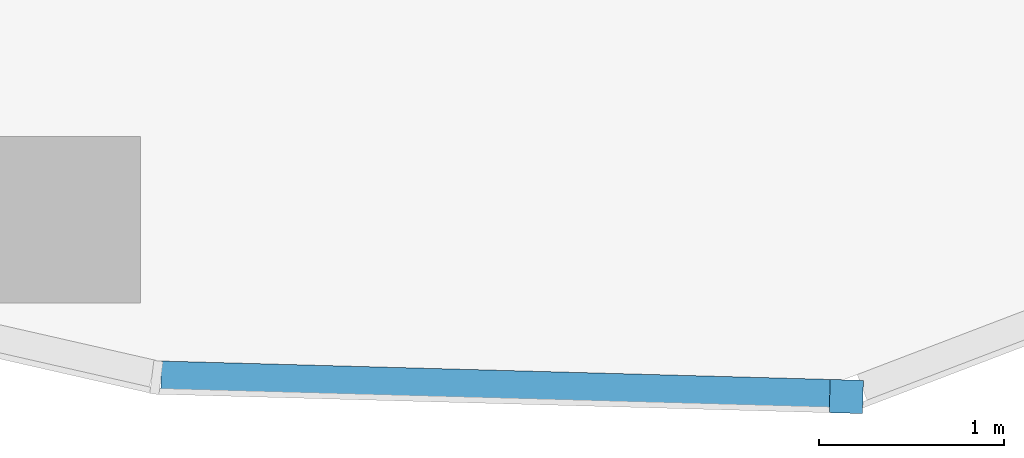
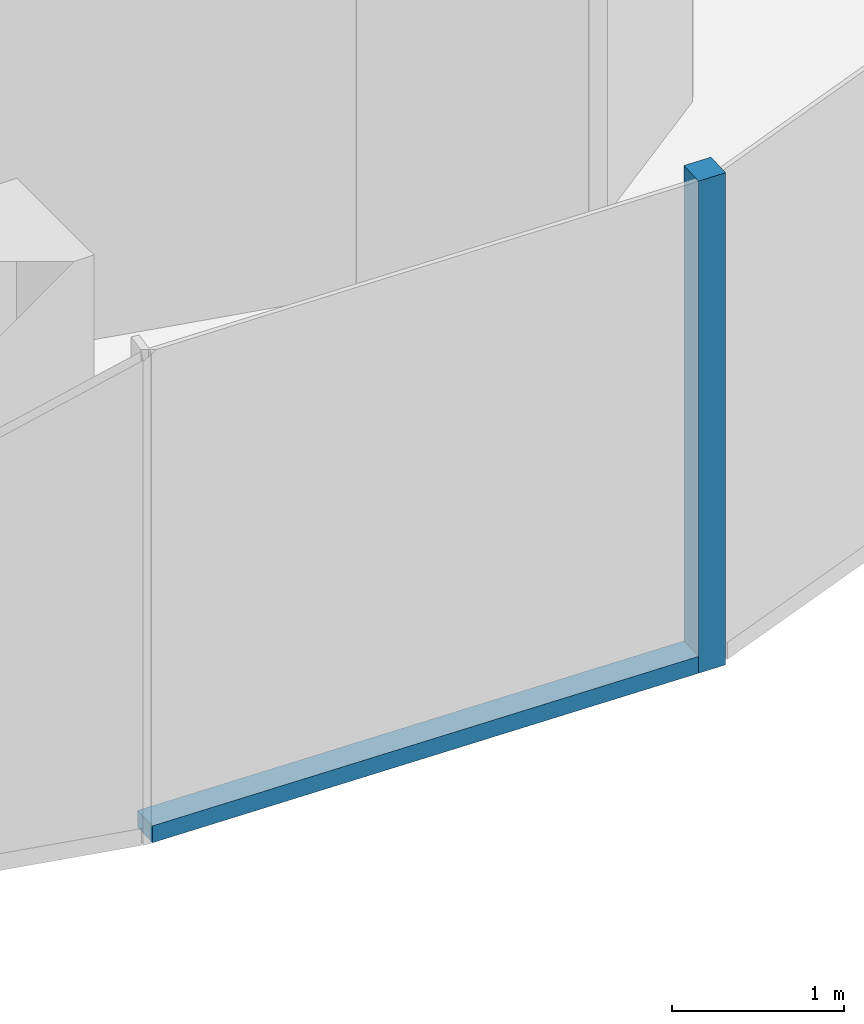
# One storey, part 3 of 24: 2 members, 1 element without a shape of its own.
"""IFC4 building model written with IfcOpenShell, lengths in metres."""

from ifc_helpers import new_model, si_unit, direction, frame, origin, origin_2d, place, context, subcontext, project, spatial, rectangle, extrude, material, material_profile, profile_set, type_object, element, aggregate, save


model = new_model("IFC4")

# Units and contexts
model_context = context("Model", 3, precision=1e-05, world=origin(), true_north=direction((0.0, 1.0)))
body_context = subcontext(model_context, "Body", "Model", "MODEL_VIEW")
ifc_project = project(units=[si_unit("LENGTHUNIT", "METRE"), si_unit("AREAUNIT", "SQUARE_METRE"), si_unit("VOLUMEUNIT", "CUBIC_METRE"), si_unit("PLANEANGLEUNIT", "RADIAN"), si_unit("MASSUNIT", "GRAM", prefix="KILO")], contexts=[model_context])

# Site, building, storey
site_placement = place(None, origin())
site = spatial("IfcSite", under=ifc_project, at=site_placement, CompositionType="ELEMENT")
building_placement = place(site_placement, origin())
building = spatial("IfcBuilding", under=site, at=building_placement, Name="Orlundy Tower", CompositionType="ELEMENT")
storey_placement = place(building_placement, frame((0.0, 0.0, 174.10009765625)))
storey = spatial("IfcBuildingStorey", under=building, at=storey_placement, Name="L45", CompositionType="ELEMENT", Elevation=174.10009765625)

# Curtain wall, members
ifc_material_1 = material(Name="Aluminium bronze anodised", Category="aluminium")
curtain_wall_type = type_object("IfcCurtainWallType", Name="CW1 wall", PredefinedType="NOTDEFINED", material=ifc_material_1)
curtain_wall_placement = place(storey_placement, origin())
curtain_wall = element("IfcCurtainWall", 1, at=curtain_wall_placement, inside=storey, type_object=curtain_wall_type, Name="CW1 run 022", PredefinedType="NOTDEFINED")
ifc_material_2 = material(Name="Aluminium bronze anodised", Category="aluminium")
ifc_material_profile_1 = material_profile(ifc_material_2, rectangle(XDim=0.179931640625, YDim=0.179931640625, at=origin_2d()), Name="CW1 corner post 180x180")
ifc_profile_set_1 = profile_set([ifc_material_profile_1], Name="Aluminium bronze anodised")
member_type_1 = type_object("IfcMemberType", Name="CW1 corner post 180x180", PredefinedType="MULLION", material=ifc_profile_set_1)
member_1_placement = place(storey_placement, frame((0.5205078125, -61.513427734375, -0.420166015625), z_axis=(0.0, 0.0, 1.0), x_axis=(-0.02751993738, -0.999621254799, 0.0)))
member_1 = element("IfcMember", 2, at=member_1_placement, type_object=member_type_1, Name="CW1 mullion 52", PredefinedType="MULLION", context=body_context, shape_type="SweptSolid", body=[
    extrude(rectangle(XDim=0.179931640625, YDim=0.179931640625, at=origin_2d()), origin(), (0.0, 0.0, 1.0), 3.5),
])
ifc_material_3 = material(Name="Aluminium bronze anodised", Category="aluminium")
ifc_material_profile_2 = material_profile(ifc_material_3, rectangle(XDim=0.179931640625, YDim=0.1201171875, at=origin_2d()), Name="CW1 transom 180x120")
ifc_profile_set_2 = profile_set([ifc_material_profile_2], Name="Aluminium bronze anodised")
member_type_2 = type_object("IfcMemberType", Name="CW1 transom 180x120", PredefinedType="USERDEFINED", material=ifc_profile_set_2)
member_2_placement = place(storey_placement, frame((0.430419921875, -61.510986328125, -0.360107421875), z_axis=(-0.999620948111, 0.02753107512, 0.0), x_axis=(-0.02753107512, -0.999620948111, 0.0)))
member_2 = element("IfcMember", 3, at=member_2_placement, type_object=member_type_2, Name="CW1 transom", ObjectType="TRANSOM", PredefinedType="USERDEFINED", context=body_context, shape_type="SweptSolid", body=[
    extrude(rectangle(XDim=0.179931640625, YDim=0.1201171875, at=origin_2d()), origin(), (0.0, 0.0, 1.0), 3.6181640625),
])
aggregate(curtain_wall, [member_1, member_2])

save(model, "model.ifc")
